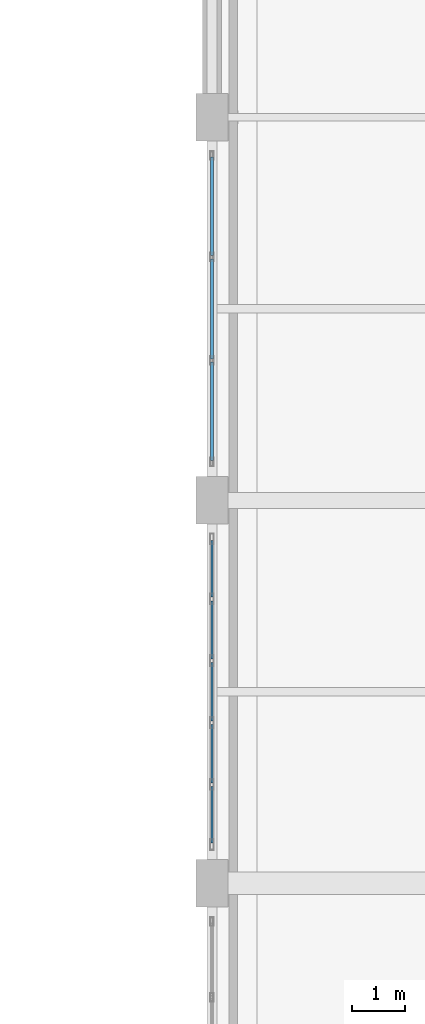
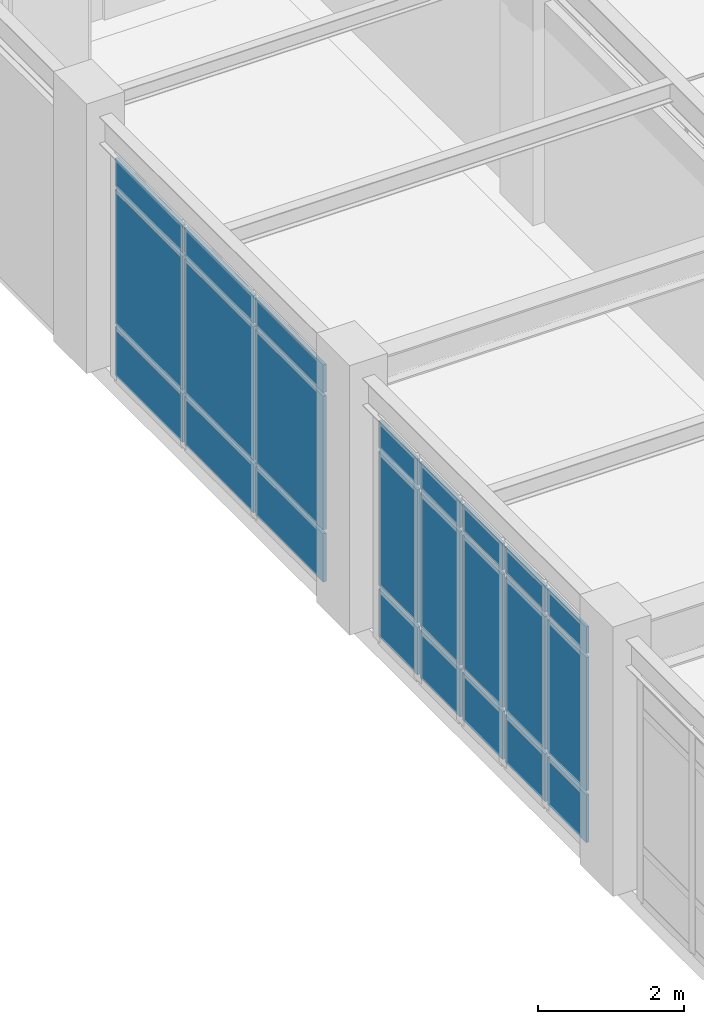
# One storey, part 60 of 106: 24 plates, 2 elements without a shape of their own.
"""IFC4 building model written with IfcOpenShell, lengths in metres."""

from ifc_helpers import new_model, si_unit, direction, frame, origin, origin_2d, place, context, subcontext, project, spatial, rectangle, extrude, material, layer, layer_set, type_object, element, aggregate, save


model = new_model("IFC4")

# Units and contexts
model_context = context("Model", 3, precision=1e-05, world=origin(), true_north=direction((0.0, 1.0)))
body_context = subcontext(model_context, "Body", "Model", "MODEL_VIEW")
ifc_project = project(units=[si_unit("LENGTHUNIT", "METRE"), si_unit("AREAUNIT", "SQUARE_METRE"), si_unit("VOLUMEUNIT", "CUBIC_METRE"), si_unit("PLANEANGLEUNIT", "RADIAN"), si_unit("MASSUNIT", "GRAM", prefix="KILO")], contexts=[model_context])

# Site, building, storey
site_placement = place(None, origin())
site = spatial("IfcSite", under=ifc_project, at=site_placement, CompositionType="ELEMENT")
building_placement = place(site_placement, origin())
building = spatial("IfcBuilding", under=site, at=building_placement, Name="Carrowvane Square Congress Hotel", CompositionType="ELEMENT")
storey_placement = place(building_placement, frame((0.0, 0.0, 10.5)))
storey = spatial("IfcBuildingStorey", under=building, at=storey_placement, Name="L02", CompositionType="ELEMENT", Elevation=10.5)

# Curtain wall, plates
ifc_material_1 = material(Name="Anodised aluminium", Category="aluminium")
ifc_layer_1 = layer(ifc_material_1, 0.24609375)
ifc_layer_set_1 = layer_set([ifc_layer_1], Name="Anodised aluminium")
curtain_wall_type_1 = type_object("IfcCurtainWallType", Name="CW-SYS-8", PredefinedType="NOTDEFINED", material=ifc_layer_set_1)
curtain_wall_1_placement = place(storey_placement, origin())
curtain_wall_1 = element("IfcCurtainWall", 1, at=curtain_wall_1_placement, inside=storey, type_object=curtain_wall_type_1, Name="L02 unitised curtain wall 183", PredefinedType="NOTDEFINED")
ifc_material_2 = material(Name="Double-glazed low-E glass", Category="glass")
ifc_layer_2 = layer(ifc_material_2, 0.0419921875)
ifc_layer_set_2 = layer_set([ifc_layer_2], Name="Double-glazed low-E glass")
plate_type_1 = type_object("IfcPlateType", Name="CW-PAN-4", PredefinedType="CURTAIN_PANEL", material=ifc_layer_set_2)
plate_1_placement = place(storey_placement, frame((134.0, 35.489501953125, 0.070068359375), z_axis=(0.0, 0.0, 1.0), x_axis=(0.0, 1.0, 0.0)))
plate_1 = element("IfcPlate", 2, at=plate_1_placement, type_object=plate_type_1, Name="CW-8 panel 1.1", PredefinedType="CURTAIN_PANEL", context=body_context, shape_type="SweptSolid", body=[
    extrude(rectangle(XDim=1.05908203125, YDim=0.0419921875, at=origin_2d()), origin(), (0.0, 0.0, 1.0), 0.794921875),
])
plate_2_placement = place(storey_placement, frame((134.0, 35.489501953125, 0.93505859375), z_axis=(0.0, 0.0, 1.0), x_axis=(0.0, 1.0, 0.0)))
plate_2 = element("IfcPlate", 3, at=plate_2_placement, type_object=plate_type_1, Name="CW-8 panel 1.2", PredefinedType="CURTAIN_PANEL", context=body_context, shape_type="SweptSolid", body=[
    extrude(rectangle(XDim=1.05908203125, YDim=0.0419921875, at=origin_2d()), origin(), (0.0, 0.0, 1.0), 2.22509765625),
])
plate_3_placement = place(storey_placement, frame((134.0, 35.489501953125, 3.22998046875), z_axis=(0.0, 0.0, 1.0), x_axis=(0.0, 1.0, 0.0)))
plate_3 = element("IfcPlate", 4, at=plate_3_placement, type_object=plate_type_1, Name="CW-8 panel 1.3", PredefinedType="CURTAIN_PANEL", context=body_context, shape_type="SweptSolid", body=[
    extrude(rectangle(XDim=1.05908203125, YDim=0.0419921875, at=origin_2d()), origin(), (0.0, 0.0, 1.0), 0.445068359375),
])
plate_4_placement = place(storey_placement, frame((134.0, 36.635986328125, 0.070068359375), z_axis=(0.0, 0.0, 1.0), x_axis=(0.0, 1.0, 0.0)))
plate_4 = element("IfcPlate", 5, at=plate_4_placement, type_object=plate_type_1, Name="CW-8 panel 2.1", PredefinedType="CURTAIN_PANEL", context=body_context, shape_type="SweptSolid", body=[
    extrude(rectangle(XDim=1.093994140625, YDim=0.0419921875, at=origin_2d()), origin(), (0.0, 0.0, 1.0), 0.794921875),
])
plate_5_placement = place(storey_placement, frame((134.0, 36.635986328125, 0.93505859375), z_axis=(0.0, 0.0, 1.0), x_axis=(0.0, 1.0, 0.0)))
plate_5 = element("IfcPlate", 6, at=plate_5_placement, type_object=plate_type_1, Name="CW-8 panel 2.2", PredefinedType="CURTAIN_PANEL", context=body_context, shape_type="SweptSolid", body=[
    extrude(rectangle(XDim=1.093994140625, YDim=0.0419921875, at=origin_2d()), origin(), (0.0, 0.0, 1.0), 2.22509765625),
])
plate_6_placement = place(storey_placement, frame((134.0, 36.635986328125, 3.22998046875), z_axis=(0.0, 0.0, 1.0), x_axis=(0.0, 1.0, 0.0)))
plate_6 = element("IfcPlate", 7, at=plate_6_placement, type_object=plate_type_1, Name="CW-8 panel 2.3", PredefinedType="CURTAIN_PANEL", context=body_context, shape_type="SweptSolid", body=[
    extrude(rectangle(XDim=1.093994140625, YDim=0.0419921875, at=origin_2d()), origin(), (0.0, 0.0, 1.0), 0.445068359375),
])
plate_7_placement = place(storey_placement, frame((134.0, 37.800048828125, 0.070068359375), z_axis=(0.0, 0.0, 1.0), x_axis=(0.0, 1.0, 0.0)))
plate_7 = element("IfcPlate", 8, at=plate_7_placement, type_object=plate_type_1, Name="CW-8 panel 3.1", PredefinedType="CURTAIN_PANEL", context=body_context, shape_type="SweptSolid", body=[
    extrude(rectangle(XDim=1.093994140625, YDim=0.0419921875, at=origin_2d()), origin(), (0.0, 0.0, 1.0), 0.794921875),
])
plate_8_placement = place(storey_placement, frame((134.0, 37.800048828125, 0.93505859375), z_axis=(0.0, 0.0, 1.0), x_axis=(0.0, 1.0, 0.0)))
plate_8 = element("IfcPlate", 9, at=plate_8_placement, type_object=plate_type_1, Name="CW-8 panel 3.2", PredefinedType="CURTAIN_PANEL", context=body_context, shape_type="SweptSolid", body=[
    extrude(rectangle(XDim=1.093994140625, YDim=0.0419921875, at=origin_2d()), origin(), (0.0, 0.0, 1.0), 2.22509765625),
])
plate_9_placement = place(storey_placement, frame((134.0, 37.800048828125, 3.22998046875), z_axis=(0.0, 0.0, 1.0), x_axis=(0.0, 1.0, 0.0)))
plate_9 = element("IfcPlate", 10, at=plate_9_placement, type_object=plate_type_1, Name="CW-8 panel 3.3", PredefinedType="CURTAIN_PANEL", context=body_context, shape_type="SweptSolid", body=[
    extrude(rectangle(XDim=1.093994140625, YDim=0.0419921875, at=origin_2d()), origin(), (0.0, 0.0, 1.0), 0.445068359375),
])
plate_10_placement = place(storey_placement, frame((134.0, 38.964111328125, 0.070068359375), z_axis=(0.0, 0.0, 1.0), x_axis=(0.0, 1.0, 0.0)))
plate_10 = element("IfcPlate", 11, at=plate_10_placement, type_object=plate_type_1, Name="CW-8 panel 4.1", PredefinedType="CURTAIN_PANEL", context=body_context, shape_type="SweptSolid", body=[
    extrude(rectangle(XDim=1.093994140625, YDim=0.0419921875, at=origin_2d()), origin(), (0.0, 0.0, 1.0), 0.794921875),
])
plate_11_placement = place(storey_placement, frame((134.0, 38.964111328125, 0.93505859375), z_axis=(0.0, 0.0, 1.0), x_axis=(0.0, 1.0, 0.0)))
plate_11 = element("IfcPlate", 12, at=plate_11_placement, type_object=plate_type_1, Name="CW-8 panel 4.2", PredefinedType="CURTAIN_PANEL", context=body_context, shape_type="SweptSolid", body=[
    extrude(rectangle(XDim=1.093994140625, YDim=0.0419921875, at=origin_2d()), origin(), (0.0, 0.0, 1.0), 2.22509765625),
])
plate_12_placement = place(storey_placement, frame((134.0, 38.964111328125, 3.22998046875), z_axis=(0.0, 0.0, 1.0), x_axis=(0.0, 1.0, 0.0)))
plate_12 = element("IfcPlate", 13, at=plate_12_placement, type_object=plate_type_1, Name="CW-8 panel 4.3", PredefinedType="CURTAIN_PANEL", context=body_context, shape_type="SweptSolid", body=[
    extrude(rectangle(XDim=1.093994140625, YDim=0.0419921875, at=origin_2d()), origin(), (0.0, 0.0, 1.0), 0.445068359375),
])
plate_13_placement = place(storey_placement, frame((134.0, 40.110595703125, 0.070068359375), z_axis=(0.0, 0.0, 1.0), x_axis=(0.0, 1.0, 0.0)))
plate_13 = element("IfcPlate", 14, at=plate_13_placement, type_object=plate_type_1, Name="CW-8 panel 5.1", PredefinedType="CURTAIN_PANEL", context=body_context, shape_type="SweptSolid", body=[
    extrude(rectangle(XDim=1.05908203125, YDim=0.0419921875, at=origin_2d()), origin(), (0.0, 0.0, 1.0), 0.794921875),
])
plate_14_placement = place(storey_placement, frame((134.0, 40.110595703125, 0.93505859375), z_axis=(0.0, 0.0, 1.0), x_axis=(0.0, 1.0, 0.0)))
plate_14 = element("IfcPlate", 15, at=plate_14_placement, type_object=plate_type_1, Name="CW-8 panel 5.2", PredefinedType="CURTAIN_PANEL", context=body_context, shape_type="SweptSolid", body=[
    extrude(rectangle(XDim=1.05908203125, YDim=0.0419921875, at=origin_2d()), origin(), (0.0, 0.0, 1.0), 2.22509765625),
])
plate_15_placement = place(storey_placement, frame((134.0, 40.110595703125, 3.22998046875), z_axis=(0.0, 0.0, 1.0), x_axis=(0.0, 1.0, 0.0)))
plate_15 = element("IfcPlate", 16, at=plate_15_placement, type_object=plate_type_1, Name="CW-8 panel 5.3", PredefinedType="CURTAIN_PANEL", context=body_context, shape_type="SweptSolid", body=[
    extrude(rectangle(XDim=1.05908203125, YDim=0.0419921875, at=origin_2d()), origin(), (0.0, 0.0, 1.0), 0.445068359375),
])
aggregate(curtain_wall_1, [plate_1, plate_2, plate_3, plate_4, plate_5, plate_6, plate_7, plate_8, plate_9, plate_10, plate_11, plate_12, plate_13, plate_14, plate_15])

ifc_material_3 = material(Name="Anodised aluminium", Category="aluminium")
ifc_layer_3 = layer(ifc_material_3, 0.162109375)
ifc_layer_set_3 = layer_set([ifc_layer_3], Name="Anodised aluminium")
curtain_wall_type_2 = type_object("IfcCurtainWallType", Name="CW-SYS-1", PredefinedType="NOTDEFINED", material=ifc_layer_set_3)
curtain_wall_2_placement = place(storey_placement, origin())
curtain_wall_2 = element("IfcCurtainWall", 17, at=curtain_wall_2_placement, inside=storey, type_object=curtain_wall_type_2, Name="L02 unitised curtain wall 184", PredefinedType="NOTDEFINED")
ifc_material_4 = material(Name="Double-glazed low-E glass", Category="glass")
ifc_layer_4 = layer(ifc_material_4, 0.048095703125)
ifc_layer_set_4 = layer_set([ifc_layer_4], Name="Double-glazed low-E glass")
plate_type_2 = type_object("IfcPlateType", Name="CW-PAN-5", PredefinedType="CURTAIN_PANEL", material=ifc_layer_set_4)
plate_16_placement = place(storey_placement, frame((134.0, 43.074951171875, 0.06005859375), z_axis=(0.0, 0.0, 1.0), x_axis=(0.0, 1.0, 0.0)))
plate_16 = element("IfcPlate", 18, at=plate_16_placement, type_object=plate_type_2, Name="CW-1 panel 1.1", PredefinedType="CURTAIN_PANEL", context=body_context, shape_type="SweptSolid", body=[
    extrude(rectangle(XDim=1.85009765625, YDim=0.048095703125, at=origin_2d()), origin(), (0.0, 0.0, 1.0), 0.81005859375),
])
plate_17_placement = place(storey_placement, frame((134.0, 43.074951171875, 0.93017578125), z_axis=(0.0, 0.0, 1.0), x_axis=(0.0, 1.0, 0.0)))
plate_17 = element("IfcPlate", 19, at=plate_17_placement, type_object=plate_type_2, Name="CW-1 panel 1.2", PredefinedType="CURTAIN_PANEL", context=body_context, shape_type="SweptSolid", body=[
    extrude(rectangle(XDim=1.85009765625, YDim=0.048095703125, at=origin_2d()), origin(), (0.0, 0.0, 1.0), 2.235107421875),
])
plate_18_placement = place(storey_placement, frame((134.0, 43.074951171875, 3.22509765625), z_axis=(0.0, 0.0, 1.0), x_axis=(0.0, 1.0, 0.0)))
plate_18 = element("IfcPlate", 20, at=plate_18_placement, type_object=plate_type_2, Name="CW-1 panel 1.3", PredefinedType="CURTAIN_PANEL", context=body_context, shape_type="SweptSolid", body=[
    extrude(rectangle(XDim=1.85009765625, YDim=0.048095703125, at=origin_2d()), origin(), (0.0, 0.0, 1.0), 0.4599609375),
])
plate_19_placement = place(storey_placement, frame((134.0, 45.0, 0.06005859375), z_axis=(0.0, 0.0, 1.0), x_axis=(0.0, 1.0, 0.0)))
plate_19 = element("IfcPlate", 21, at=plate_19_placement, type_object=plate_type_2, Name="CW-1 panel 2.1", PredefinedType="CURTAIN_PANEL", context=body_context, shape_type="SweptSolid", body=[
    extrude(rectangle(XDim=1.8798828125, YDim=0.048095703125, at=origin_2d()), origin(), (0.0, 0.0, 1.0), 0.81005859375),
])
plate_20_placement = place(storey_placement, frame((134.0, 45.0, 0.93017578125), z_axis=(0.0, 0.0, 1.0), x_axis=(0.0, 1.0, 0.0)))
plate_20 = element("IfcPlate", 22, at=plate_20_placement, type_object=plate_type_2, Name="CW-1 panel 2.2", PredefinedType="CURTAIN_PANEL", context=body_context, shape_type="SweptSolid", body=[
    extrude(rectangle(XDim=1.8798828125, YDim=0.048095703125, at=origin_2d()), origin(), (0.0, 0.0, 1.0), 2.235107421875),
])
plate_21_placement = place(storey_placement, frame((134.0, 45.0, 3.22509765625), z_axis=(0.0, 0.0, 1.0), x_axis=(0.0, 1.0, 0.0)))
plate_21 = element("IfcPlate", 23, at=plate_21_placement, type_object=plate_type_2, Name="CW-1 panel 2.3", PredefinedType="CURTAIN_PANEL", context=body_context, shape_type="SweptSolid", body=[
    extrude(rectangle(XDim=1.8798828125, YDim=0.048095703125, at=origin_2d()), origin(), (0.0, 0.0, 1.0), 0.4599609375),
])
plate_22_placement = place(storey_placement, frame((134.0, 46.925048828125, 0.06005859375), z_axis=(0.0, 0.0, 1.0), x_axis=(0.0, 1.0, 0.0)))
plate_22 = element("IfcPlate", 24, at=plate_22_placement, type_object=plate_type_2, Name="CW-1 panel 3.1", PredefinedType="CURTAIN_PANEL", context=body_context, shape_type="SweptSolid", body=[
    extrude(rectangle(XDim=1.85009765625, YDim=0.048095703125, at=origin_2d()), origin(), (0.0, 0.0, 1.0), 0.81005859375),
])
plate_23_placement = place(storey_placement, frame((134.0, 46.925048828125, 0.93017578125), z_axis=(0.0, 0.0, 1.0), x_axis=(0.0, 1.0, 0.0)))
plate_23 = element("IfcPlate", 25, at=plate_23_placement, type_object=plate_type_2, Name="CW-1 panel 3.2", PredefinedType="CURTAIN_PANEL", context=body_context, shape_type="SweptSolid", body=[
    extrude(rectangle(XDim=1.85009765625, YDim=0.048095703125, at=origin_2d()), origin(), (0.0, 0.0, 1.0), 2.235107421875),
])
plate_24_placement = place(storey_placement, frame((134.0, 46.925048828125, 3.22509765625), z_axis=(0.0, 0.0, 1.0), x_axis=(0.0, 1.0, 0.0)))
plate_24 = element("IfcPlate", 26, at=plate_24_placement, type_object=plate_type_2, Name="CW-1 panel 3.3", PredefinedType="CURTAIN_PANEL", context=body_context, shape_type="SweptSolid", body=[
    extrude(rectangle(XDim=1.85009765625, YDim=0.048095703125, at=origin_2d()), origin(), (0.0, 0.0, 1.0), 0.4599609375),
])
aggregate(curtain_wall_2, [plate_16, plate_17, plate_18, plate_19, plate_20, plate_21, plate_22, plate_23, plate_24])

save(model, "model.ifc")
